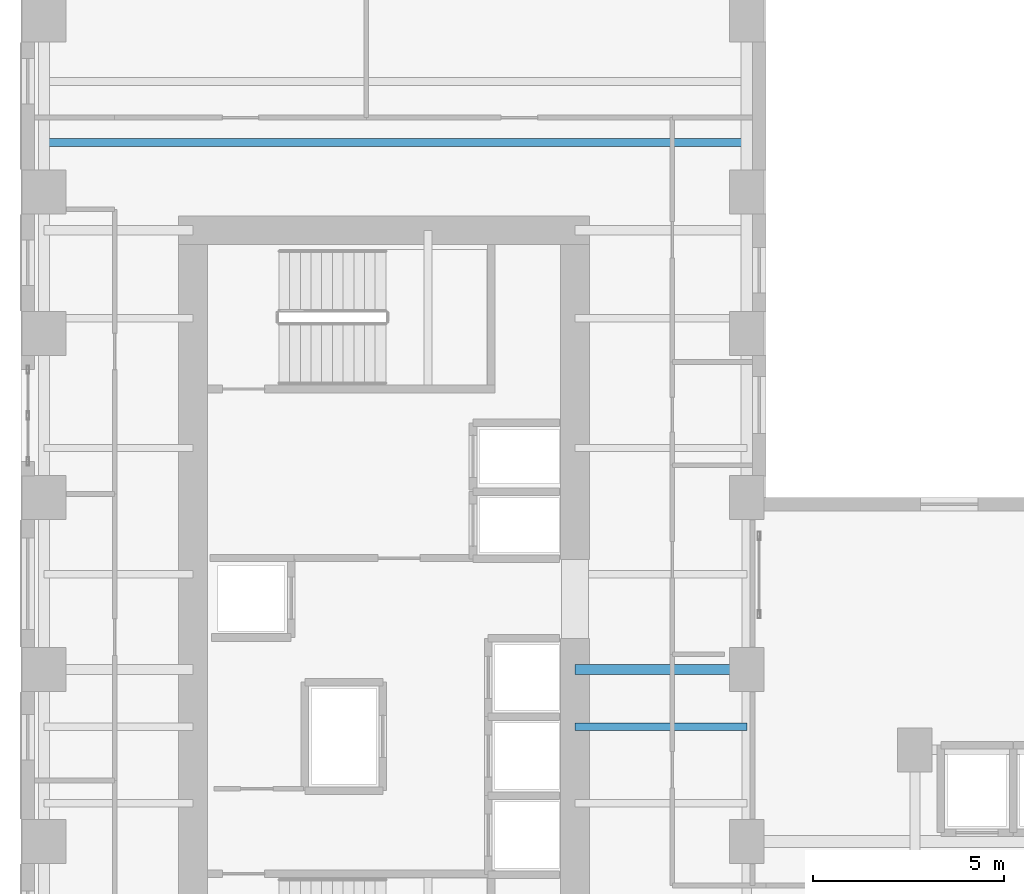
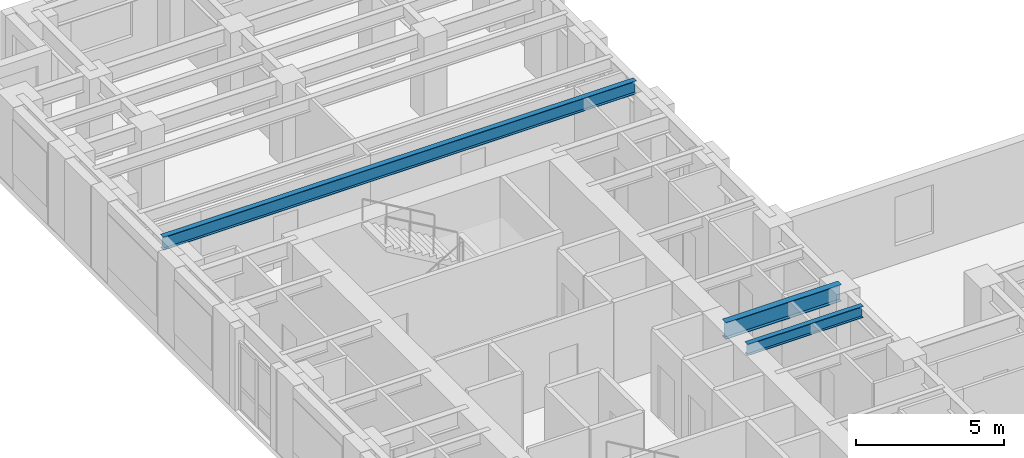
# One storey, part 3 of 14: 3 beams.
"""IFC4 building model written with IfcOpenShell, lengths in metres."""

from ifc_helpers import new_model, si_unit, direction, frame, origin, origin_2d, place, context, subcontext, project, spatial, i_section, extrude, source, transform, mapped, material, material_profile, profile_set, type_object, element, save


model = new_model("IFC4")

# Units and contexts
model_context = context("Model", 3, precision=1e-05, world=origin(), true_north=direction((0.0, 1.0)))
body_context = subcontext(model_context, "Body", "Model", "MODEL_VIEW")
ifc_project = project(units=[si_unit("LENGTHUNIT", "METRE"), si_unit("AREAUNIT", "SQUARE_METRE"), si_unit("VOLUMEUNIT", "CUBIC_METRE"), si_unit("PLANEANGLEUNIT", "RADIAN"), si_unit("MASSUNIT", "GRAM", prefix="KILO")], contexts=[model_context])

# Site, building, storey
site_placement = place(None, origin())
site = spatial("IfcSite", under=ifc_project, at=site_placement, CompositionType="ELEMENT")
building_placement = place(site_placement, origin())
building = spatial("IfcBuilding", under=site, at=building_placement, Name="Kharzan Plaza Tower", CompositionType="ELEMENT")
storey_placement = place(building_placement, frame((0.0, 0.0, 81.0)))
storey = spatial("IfcBuildingStorey", under=building, at=storey_placement, Name="L21", CompositionType="ELEMENT", Elevation=81.0)

# Beams
ifc_material = material(Name="Steel S355", Category="steel")
ifc_material_profile_1 = material_profile(ifc_material, i_section(OverallWidth=0.2099609375, OverallDepth=0.537109375, WebThickness=0.010986328125, FlangeThickness=0.017333984375, at=origin_2d()), Name="W530x101")
ifc_profile_set_1 = profile_set([ifc_material_profile_1], Name="Steel S355")
beam_type_1 = type_object("IfcBeamType", Name="BM-JST530B", PredefinedType="JOIST", material=ifc_profile_set_1)
shared_shape_1 = source(origin(), body_context, "Body", "SweptSolid", [
    extrude(i_section(OverallWidth=0.2099609375, OverallDepth=0.537109375, WebThickness=0.010986328125, FlangeThickness=0.017333984375, at=origin_2d()), origin(), (0.0, 0.0, 1.0), 18.39990234375),
])
beam_1_placement = place(storey_placement, frame((0.60009765625, 31.800048828125, 3.111572265625), z_axis=(1.0, 0.0, 0.0), x_axis=(0.0, 1.0, 0.0)))
element("IfcBeam", 1, at=beam_1_placement, inside=storey, type_object=beam_type_1, Name="L21 Wing A Composite Joist 04", PredefinedType="JOIST", context=body_context, shape_type="MappedRepresentation", body=[
    mapped(shared_shape_1, transform((0.0, 0.0, 0.0), x_axis=(1.0, 0.0, 0.0), y_axis=(0.0, 1.0, 0.0), z_axis=(0.0, 0.0, 1.0))),
])
ifc_material_profile_2 = material_profile(ifc_material, i_section(OverallWidth=0.194091796875, OverallDepth=0.468994140625, WebThickness=0.011474609375, FlangeThickness=0.0205078125, at=origin_2d()), Name="W460x106")
ifc_profile_set_2 = profile_set([ifc_material_profile_2], Name="Steel S355")
beam_type_2 = type_object("IfcBeamType", Name="BM-JST460", PredefinedType="JOIST", material=ifc_profile_set_2)
shared_shape_2 = source(origin(), body_context, "Body", "SweptSolid", [
    extrude(i_section(OverallWidth=0.194091796875, OverallDepth=0.468994140625, WebThickness=0.011474609375, FlangeThickness=0.0205078125, at=origin_2d()), origin(), (0.0, 0.0, 1.0), 4.5),
])
beam_2_placement = place(storey_placement, frame((14.5, 16.5, 3.1455078125), z_axis=(1.0, 0.0, 0.0), x_axis=(0.0, 1.0, 0.0)))
element("IfcBeam", 2, at=beam_2_placement, inside=storey, type_object=beam_type_2, Name="L21 Wing A East Infill Joist 3", PredefinedType="JOIST", context=body_context, shape_type="MappedRepresentation", body=[
    mapped(shared_shape_2, transform((0.0, 0.0, 0.0), x_axis=(1.0, 0.0, 0.0), y_axis=(0.0, 1.0, 0.0), z_axis=(0.0, 0.0, 1.0))),
])
ifc_material_profile_3 = material_profile(ifc_material, i_section(OverallWidth=0.25390625, OverallDepth=0.68798828125, WebThickness=0.01318359375, FlangeThickness=0.02099609375, at=origin_2d()), Name="W690x152")
ifc_profile_set_3 = profile_set([ifc_material_profile_3], Name="Steel S355")
beam_type_3 = type_object("IfcBeamType", Name="BM-FG690B", PredefinedType="BEAM", material=ifc_profile_set_3)
shared_shape_3 = source(origin(), body_context, "Body", "SweptSolid", [
    extrude(i_section(OverallWidth=0.25390625, OverallDepth=0.68798828125, WebThickness=0.01318359375, FlangeThickness=0.02099609375, at=origin_2d()), origin(), (0.0, 0.0, 1.0), 4.5),
])
beam_3_placement = place(storey_placement, frame((14.5, 18.0, 3.035888671875), z_axis=(1.0, 0.0, 0.0), x_axis=(0.0, 1.0, 0.0)))
element("IfcBeam", 3, at=beam_3_placement, inside=storey, type_object=beam_type_3, Name="L21 Core-A East Floor Girder 2", PredefinedType="BEAM", context=body_context, shape_type="MappedRepresentation", body=[
    mapped(shared_shape_3, transform((0.0, 0.0, 0.0), x_axis=(1.0, 0.0, 0.0), y_axis=(0.0, 1.0, 0.0), z_axis=(0.0, 0.0, 1.0))),
])

save(model, "model.ifc")
